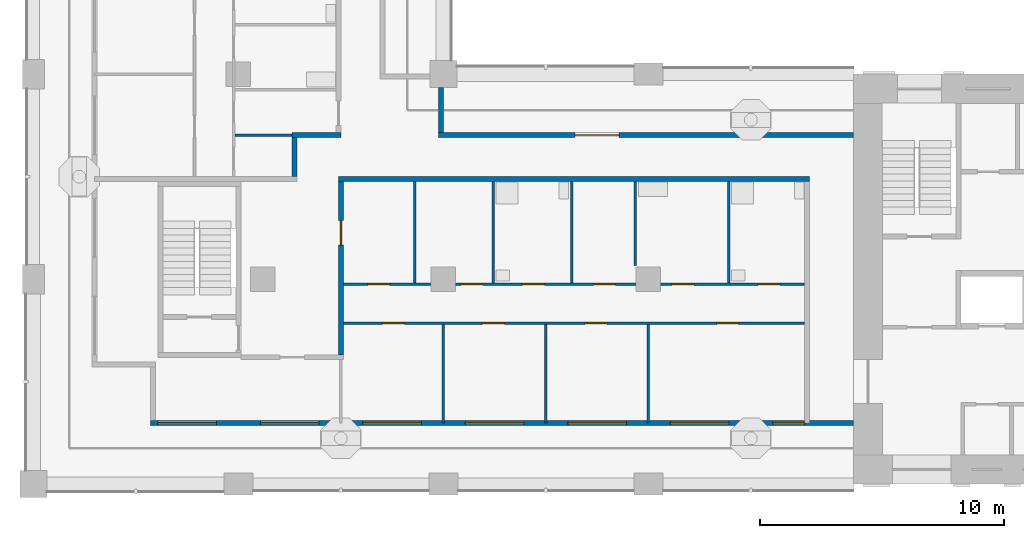
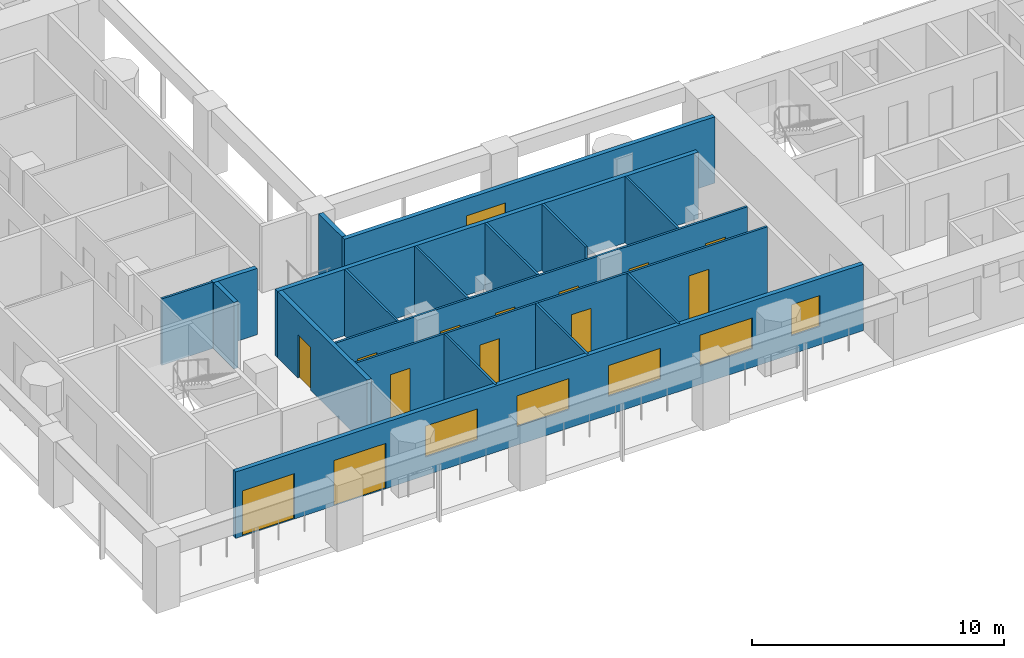
# One storey, part 2 of 13: 18 walls, 14 doors, 5 windows, 19 openings.
"""IFC4 building model written with IfcOpenShell, lengths in metres."""

from ifc_helpers import new_model, si_unit, direction, frame, frame_2d, origin, place, context, subcontext, project, spatial, rectangle, extrude, material, layer, layer_set, type_object, element, fill, save


model = new_model("IFC4")

# Units and contexts
model_context = context("Model", 3, precision=1e-05, world=origin(), true_north=direction((0.0, 1.0)))
body_context = subcontext(model_context, "Body", "Model", "MODEL_VIEW")
ifc_project = project(units=[si_unit("LENGTHUNIT", "METRE"), si_unit("AREAUNIT", "SQUARE_METRE"), si_unit("VOLUMEUNIT", "CUBIC_METRE"), si_unit("PLANEANGLEUNIT", "RADIAN"), si_unit("MASSUNIT", "GRAM", prefix="KILO")], contexts=[model_context])

# Site, building, storey
site_placement = place(None, origin())
site = spatial("IfcSite", under=ifc_project, at=site_placement, CompositionType="ELEMENT")
building_placement = place(site_placement, origin())
building = spatial("IfcBuilding", under=site, at=building_placement, Name="Vermilion Gate Residences", CompositionType="ELEMENT")
storey_placement = place(building_placement, frame((0.0, 0.0, 151.199951171875)))
storey = spatial("IfcBuildingStorey", under=building, at=storey_placement, Name="L38", CompositionType="ELEMENT", Elevation=151.199951171875)

# Wall, openings, doors, windows
ifc_material_1 = material(Name="Insulated steel stud wall with terracotta rainscreen", Category="masonry")
ifc_layer_1 = layer(ifc_material_1, 0.199951171875)
ifc_layer_set_1 = layer_set([ifc_layer_1], Name="EXTERNAL WALL 200 TERRACOTTA RAINSCREEN")
wall_type_1 = type_object("IfcWallType", Name="EXTERNAL WALL 200 TERRACOTTA RAINSCREEN", PredefinedType="SOLIDWALL", material=ifc_layer_set_1)
wall_1_placement = place(storey_placement, frame((13.199951171875, 10.89990234375, 0.0), z_axis=(0.0, 0.0, 1.0), x_axis=(1.0, 0.0, 0.0)))
wall_1 = element("IfcWall", 1, at=wall_1_placement, inside=storey, type_object=wall_type_1, Name="External wall", PredefinedType="SOLIDWALL", context=body_context, shape_type="SweptSolid", body=[
    extrude(rectangle(XDim=28.800048828125, YDim=0.199951171875, at=frame_2d((14.39990234375, 0.0))), origin(), (0.0, 0.0, 1.0), 3.219970703125),
])
opening_1_placement = place(wall_1_placement, frame((0.300048828125, 0.0, 0.0)))
opening_1 = element("IfcOpeningElement", 2, at=opening_1_placement, cuts=wall_1, Name="Opening DE38008", PredefinedType="OPENING", context=body_context, shape_type="SweptSolid", body=[
    extrude(rectangle(XDim=2.39990234375, YDim=2.199951171875, at=frame_2d((1.199951171875, 1.10009765625))), frame((0.0, 0.10986328125, 0.0), z_axis=(0.0, -1.0, 0.0), x_axis=(1.0, 0.0, 0.0)), (0.0, 0.0, 1.0), 0.219970703125),
])
opening_2_placement = place(wall_1_placement, frame((4.5, 0.0, 0.0)))
opening_2 = element("IfcOpeningElement", 3, at=opening_2_placement, cuts=wall_1, Name="Opening DE38009", PredefinedType="OPENING", context=body_context, shape_type="SweptSolid", body=[
    extrude(rectangle(XDim=2.39990234375, YDim=2.199951171875, at=frame_2d((1.199951171875, 1.10009765625))), frame((0.0, 0.10986328125, 0.0), z_axis=(0.0, -1.0, 0.0), x_axis=(1.0, 0.0, 0.0)), (0.0, 0.0, 1.0), 0.219970703125),
])
opening_3_placement = place(wall_1_placement, frame((8.699951171875, 0.0, 0.89990234375)))
opening_3 = element("IfcOpeningElement", 4, at=opening_3_placement, cuts=wall_1, Name="Opening WE38010", PredefinedType="OPENING", context=body_context, shape_type="SweptSolid", body=[
    extrude(rectangle(XDim=2.39990234375, YDim=1.5, at=frame_2d((1.199951171875, 0.75))), frame((0.0, 0.10986328125, 0.0), z_axis=(0.0, -1.0, 0.0), x_axis=(1.0, 0.0, 0.0)), (0.0, 0.0, 1.0), 0.219970703125),
])
opening_4_placement = place(wall_1_placement, frame((12.89990234375, 0.0, 0.89990234375)))
opening_4 = element("IfcOpeningElement", 5, at=opening_4_placement, cuts=wall_1, Name="Opening WE38011", PredefinedType="OPENING", context=body_context, shape_type="SweptSolid", body=[
    extrude(rectangle(XDim=2.39990234375, YDim=1.5, at=frame_2d((1.199951171875, 0.75))), frame((0.0, 0.10986328125, 0.0), z_axis=(0.0, -1.0, 0.0), x_axis=(1.0, 0.0, 0.0)), (0.0, 0.0, 1.0), 0.219970703125),
])
opening_5_placement = place(wall_1_placement, frame((17.10009765625, 0.0, 0.89990234375)))
opening_5 = element("IfcOpeningElement", 6, at=opening_5_placement, cuts=wall_1, Name="Opening WE38012", PredefinedType="OPENING", context=body_context, shape_type="SweptSolid", body=[
    extrude(rectangle(XDim=2.39990234375, YDim=1.5, at=frame_2d((1.199951171875, 0.75))), frame((0.0, 0.10986328125, 0.0), z_axis=(0.0, -1.0, 0.0), x_axis=(1.0, 0.0, 0.0)), (0.0, 0.0, 1.0), 0.219970703125),
])
opening_6_placement = place(wall_1_placement, frame((21.300048828125, 0.0, 0.89990234375)))
opening_6 = element("IfcOpeningElement", 7, at=opening_6_placement, cuts=wall_1, Name="Opening WE38013", PredefinedType="OPENING", context=body_context, shape_type="SweptSolid", body=[
    extrude(rectangle(XDim=2.39990234375, YDim=1.5, at=frame_2d((1.199951171875, 0.75))), frame((0.0, 0.10986328125, 0.0), z_axis=(0.0, -1.0, 0.0), x_axis=(1.0, 0.0, 0.0)), (0.0, 0.0, 1.0), 0.219970703125),
])
opening_7_placement = place(wall_1_placement, frame((25.5, 0.0, 0.89990234375)))
opening_7 = element("IfcOpeningElement", 8, at=opening_7_placement, cuts=wall_1, Name="Opening WE38014", PredefinedType="OPENING", context=body_context, shape_type="SweptSolid", body=[
    extrude(rectangle(XDim=1.300048828125, YDim=1.5, at=frame_2d((0.64990234375, 0.75))), frame((0.0, 0.10986328125, 0.0), z_axis=(0.0, -1.0, 0.0), x_axis=(1.0, 0.0, 0.0)), (0.0, 0.0, 1.0), 0.219970703125),
])
ifc_material_2 = material(Name="Aluminium and clear glass", Category="aluminium")
door_type_1 = type_object("IfcDoorType", Name="SLIDING GLAZED DOOR 2400 X 2200", OperationType="DOUBLE_DOOR_SLIDING", PredefinedType="DOOR", material=ifc_material_2)
door_1_placement = place(opening_1_placement, origin())
door_1 = element("IfcDoor", 9, at=door_1_placement, inside=storey, type_object=door_type_1, Name="Loggia sliding door", OperationType="DOUBLE_DOOR_SLIDING", OverallHeight=2.199951171875, OverallWidth=2.39990234375, PredefinedType="DOOR", context=body_context, shape_type="SweptSolid", body=[
    extrude(rectangle(XDim=2.39990234375, YDim=2.199951171875, at=frame_2d((1.199951171875, 1.10009765625))), frame((0.0, 0.02490234375, 0.0), z_axis=(0.0, -1.0, 0.0), x_axis=(1.0, 0.0, 0.0)), (0.0, 0.0, 1.0), 0.050048828125),
])
fill(opening_1, door_1)
door_2_placement = place(opening_2_placement, origin())
door_2 = element("IfcDoor", 10, at=door_2_placement, inside=storey, type_object=door_type_1, Name="Loggia sliding door", OperationType="DOUBLE_DOOR_SLIDING", OverallHeight=2.199951171875, OverallWidth=2.39990234375, PredefinedType="DOOR", context=body_context, shape_type="SweptSolid", body=[
    extrude(rectangle(XDim=2.39990234375, YDim=2.199951171875, at=frame_2d((1.199951171875, 1.10009765625))), frame((0.0, 0.02490234375, 0.0), z_axis=(0.0, -1.0, 0.0), x_axis=(1.0, 0.0, 0.0)), (0.0, 0.0, 1.0), 0.050048828125),
])
fill(opening_2, door_2)
ifc_material_3 = material(Name="Aluminium and clear glass", Category="aluminium")
window_type_1 = type_object("IfcWindowType", Name="WINDOW 1300 X 1500", PartitioningType="SINGLE_PANEL", PredefinedType="WINDOW", material=ifc_material_3)
window_1_placement = place(opening_7_placement, origin())
window_1 = element("IfcWindow", 11, at=window_1_placement, inside=storey, type_object=window_type_1, Name="Window", OverallHeight=1.5, OverallWidth=1.300048828125, PartitioningType="SINGLE_PANEL", PredefinedType="WINDOW", context=body_context, shape_type="SweptSolid", body=[
    extrude(rectangle(XDim=1.300048828125, YDim=1.5, at=frame_2d((0.64990234375, 0.75))), frame((0.0, 0.030029296875, 0.0), z_axis=(0.0, -1.0, 0.0), x_axis=(1.0, 0.0, 0.0)), (0.0, 0.0, 1.0), 0.06005859375),
])
fill(opening_7, window_1)
ifc_material_4 = material(Name="Aluminium and clear glass", Category="aluminium")
window_type_2 = type_object("IfcWindowType", Name="WINDOW 2400 X 1500", PartitioningType="SINGLE_PANEL", PredefinedType="WINDOW", material=ifc_material_4)
window_2_placement = place(opening_3_placement, origin())
window_2 = element("IfcWindow", 12, at=window_2_placement, inside=storey, type_object=window_type_2, Name="Window", OverallHeight=1.5, OverallWidth=2.39990234375, PartitioningType="SINGLE_PANEL", PredefinedType="WINDOW", context=body_context, shape_type="SweptSolid", body=[
    extrude(rectangle(XDim=2.39990234375, YDim=1.5, at=frame_2d((1.199951171875, 0.75))), frame((0.0, 0.030029296875, 0.0), z_axis=(0.0, -1.0, 0.0), x_axis=(1.0, 0.0, 0.0)), (0.0, 0.0, 1.0), 0.06005859375),
])
fill(opening_3, window_2)
window_3_placement = place(opening_4_placement, origin())
window_3 = element("IfcWindow", 13, at=window_3_placement, inside=storey, type_object=window_type_2, Name="Window", OverallHeight=1.5, OverallWidth=2.39990234375, PartitioningType="SINGLE_PANEL", PredefinedType="WINDOW", context=body_context, shape_type="SweptSolid", body=[
    extrude(rectangle(XDim=2.39990234375, YDim=1.5, at=frame_2d((1.199951171875, 0.75))), frame((0.0, 0.030029296875, 0.0), z_axis=(0.0, -1.0, 0.0), x_axis=(1.0, 0.0, 0.0)), (0.0, 0.0, 1.0), 0.06005859375),
])
fill(opening_4, window_3)
window_4_placement = place(opening_5_placement, origin())
window_4 = element("IfcWindow", 14, at=window_4_placement, inside=storey, type_object=window_type_2, Name="Window", OverallHeight=1.5, OverallWidth=2.39990234375, PartitioningType="SINGLE_PANEL", PredefinedType="WINDOW", context=body_context, shape_type="SweptSolid", body=[
    extrude(rectangle(XDim=2.39990234375, YDim=1.5, at=frame_2d((1.199951171875, 0.75))), frame((0.0, 0.030029296875, 0.0), z_axis=(0.0, -1.0, 0.0), x_axis=(1.0, 0.0, 0.0)), (0.0, 0.0, 1.0), 0.06005859375),
])
fill(opening_5, window_4)
window_5_placement = place(opening_6_placement, origin())
window_5 = element("IfcWindow", 15, at=window_5_placement, inside=storey, type_object=window_type_2, Name="Window", OverallHeight=1.5, OverallWidth=2.39990234375, PartitioningType="SINGLE_PANEL", PredefinedType="WINDOW", context=body_context, shape_type="SweptSolid", body=[
    extrude(rectangle(XDim=2.39990234375, YDim=1.5, at=frame_2d((1.199951171875, 0.75))), frame((0.0, 0.030029296875, 0.0), z_axis=(0.0, -1.0, 0.0), x_axis=(1.0, 0.0, 0.0)), (0.0, 0.0, 1.0), 0.06005859375),
])
fill(opening_6, window_5)

# Wall, opening, door
wall_2_placement = place(storey_placement, frame((42.0, 22.699951171875, 0.0), z_axis=(0.0, 0.0, 1.0), x_axis=(-1.0, 0.0, 0.0)))
wall_2 = element("IfcWall", 16, at=wall_2_placement, inside=storey, type_object=wall_type_1, Name="External wall", PredefinedType="SOLIDWALL", context=body_context, shape_type="SweptSolid", body=[
    extrude(rectangle(XDim=17.0, YDim=0.199951171875, at=frame_2d((8.5, 0.0))), origin(), (0.0, 0.0, 1.0), 3.219970703125),
])
opening_8_placement = place(wall_2_placement, frame((9.60009765625, 0.0, 0.0)))
opening_8 = element("IfcOpeningElement", 17, at=opening_8_placement, cuts=wall_2, Name="Opening DE38020", PredefinedType="OPENING", context=body_context, shape_type="SweptSolid", body=[
    extrude(rectangle(XDim=1.800048828125, YDim=2.39990234375, at=frame_2d((0.89990234375, 1.199951171875))), frame((0.0, 0.10986328125, 0.0), z_axis=(0.0, -1.0, 0.0), x_axis=(1.0, 0.0, 0.0)), (0.0, 0.0, 1.0), 0.219970703125),
])
ifc_material_5 = material(Name="Aluminium and clear glass", Category="aluminium")
door_type_2 = type_object("IfcDoorType", Name="GLAZED EXTERNAL DOOR 1800 X 2400", OperationType="DOUBLE_DOOR_SINGLE_SWING", PredefinedType="DOOR", material=ifc_material_5)
door_3_placement = place(opening_8_placement, frame((1.800048828125, 0.0, 0.0), z_axis=(0.0, 0.0, 1.0), x_axis=(-1.0, 0.0, 0.0)))
door_3 = element("IfcDoor", 18, at=door_3_placement, inside=storey, type_object=door_type_2, Name="Gallery door", OperationType="DOUBLE_DOOR_SINGLE_SWING", OverallHeight=2.39990234375, OverallWidth=1.800048828125, PredefinedType="DOOR", context=body_context, shape_type="SweptSolid", body=[
    extrude(rectangle(XDim=1.800048828125, YDim=2.39990234375, at=frame_2d((0.89990234375, 1.199951171875))), frame((0.0, 0.02490234375, 0.0), z_axis=(0.0, -1.0, 0.0), x_axis=(1.0, 0.0, 0.0)), (0.0, 0.0, 1.0), 0.050048828125),
])
fill(opening_8, door_3)

# Wall
wall_3_placement = place(storey_placement, frame((25.10009765625, 22.800048828125, 0.0), z_axis=(0.0, 0.0, 1.0), x_axis=(0.0, 1.0, 0.0)))
element("IfcWall", 19, at=wall_3_placement, inside=storey, type_object=wall_type_1, Name="External wall", PredefinedType="SOLIDWALL", context=body_context, shape_type="SweptSolid", body=[
    extrude(rectangle(XDim=1.849853515625, YDim=0.199951171875, at=frame_2d((0.9248046875, 0.0))), origin(), (0.0, 0.0, 1.0), 3.219970703125),
])

# Wall, openings, doors
ifc_material_6 = material(Name="Plasterboard on steel studs", Category="steel")
ifc_layer_2 = layer(ifc_material_6, 0.10009765625)
ifc_layer_set_2 = layer_set([ifc_layer_2], Name="PARTITION 100")
wall_type_2 = type_object("IfcWallType", Name="PARTITION 100", PredefinedType="PARTITIONING", material=ifc_layer_set_2)
wall_4_placement = place(storey_placement, frame((21.10009765625, 15.0, 0.0), z_axis=(0.0, 0.0, 1.0), x_axis=(1.0, 0.0, 0.0)))
wall_4 = element("IfcWall", 20, at=wall_4_placement, inside=storey, type_object=wall_type_2, Name="Partition", PredefinedType="PARTITIONING", context=body_context, shape_type="SweptSolid", body=[
    extrude(rectangle(XDim=18.89990234375, YDim=0.10009765625, at=frame_2d((9.449951171875, 0.0))), origin(), (0.0, 0.0, 1.0), 3.219970703125),
])
opening_9_placement = place(wall_4_placement, frame((1.60009765625, 0.0, 0.0)))
opening_9 = element("IfcOpeningElement", 21, at=opening_9_placement, cuts=wall_4, Name="Opening DA37002", PredefinedType="OPENING", context=body_context, shape_type="SweptSolid", body=[
    extrude(rectangle(XDim=0.89990234375, YDim=2.10009765625, at=frame_2d((0.449951171875, 1.050048828125))), frame((0.0, 0.06005859375, 0.0), z_axis=(0.0, -1.0, 0.0), x_axis=(1.0, 0.0, 0.0)), (0.0, 0.0, 1.0), 0.1201171875),
])
opening_10_placement = place(wall_4_placement, frame((5.699951171875, 0.0, 0.0)))
opening_10 = element("IfcOpeningElement", 22, at=opening_10_placement, cuts=wall_4, Name="Opening DA37003", PredefinedType="OPENING", context=body_context, shape_type="SweptSolid", body=[
    extrude(rectangle(XDim=0.89990234375, YDim=2.10009765625, at=frame_2d((0.449951171875, 1.050048828125))), frame((0.0, 0.06005859375, 0.0), z_axis=(0.0, -1.0, 0.0), x_axis=(1.0, 0.0, 0.0)), (0.0, 0.0, 1.0), 0.1201171875),
])
opening_11_placement = place(wall_4_placement, frame((9.89990234375, 0.0, 0.0)))
opening_11 = element("IfcOpeningElement", 23, at=opening_11_placement, cuts=wall_4, Name="Opening DA37004", PredefinedType="OPENING", context=body_context, shape_type="SweptSolid", body=[
    extrude(rectangle(XDim=0.89990234375, YDim=2.10009765625, at=frame_2d((0.449951171875, 1.050048828125))), frame((0.0, 0.06005859375, 0.0), z_axis=(0.0, -1.0, 0.0), x_axis=(1.0, 0.0, 0.0)), (0.0, 0.0, 1.0), 0.1201171875),
])
opening_12_placement = place(wall_4_placement, frame((15.300048828125, 0.0, 0.0)))
opening_12 = element("IfcOpeningElement", 24, at=opening_12_placement, cuts=wall_4, Name="Opening DA37005", PredefinedType="OPENING", context=body_context, shape_type="SweptSolid", body=[
    extrude(rectangle(XDim=0.89990234375, YDim=2.10009765625, at=frame_2d((0.449951171875, 1.050048828125))), frame((0.0, 0.06005859375, 0.0), z_axis=(0.0, -1.0, 0.0), x_axis=(1.0, 0.0, 0.0)), (0.0, 0.0, 1.0), 0.1201171875),
])
ifc_material_7 = material(Name="Timber", Category="wood")
door_type_3 = type_object("IfcDoorType", Name="INTERIOR DOOR 900 X 2100", OperationType="SINGLE_SWING_LEFT", PredefinedType="DOOR", material=ifc_material_7)
door_4_placement = place(opening_9_placement, frame((0.89990234375, 0.0, 0.0), z_axis=(0.0, 0.0, 1.0), x_axis=(-1.0, 0.0, 0.0)))
door_4 = element("IfcDoor", 25, at=door_4_placement, inside=storey, type_object=door_type_3, Name="Interior door", OperationType="SINGLE_SWING_LEFT", OverallHeight=2.10009765625, OverallWidth=0.89990234375, PredefinedType="DOOR", context=body_context, shape_type="SweptSolid", body=[
    extrude(rectangle(XDim=0.89990234375, YDim=2.10009765625, at=frame_2d((0.449951171875, 1.050048828125))), frame((0.0, 0.02490234375, 0.0), z_axis=(0.0, -1.0, 0.0), x_axis=(1.0, 0.0, 0.0)), (0.0, 0.0, 1.0), 0.050048828125),
])
fill(opening_9, door_4)
door_5_placement = place(opening_10_placement, frame((0.89990234375, 0.0, 0.0), z_axis=(0.0, 0.0, 1.0), x_axis=(-1.0, 0.0, 0.0)))
door_5 = element("IfcDoor", 26, at=door_5_placement, inside=storey, type_object=door_type_3, Name="Interior door", OperationType="SINGLE_SWING_RIGHT", OverallHeight=2.10009765625, OverallWidth=0.89990234375, PredefinedType="DOOR", context=body_context, shape_type="SweptSolid", body=[
    extrude(rectangle(XDim=0.89990234375, YDim=2.10009765625, at=frame_2d((0.449951171875, 1.050048828125))), frame((0.0, 0.02490234375, 0.0), z_axis=(0.0, -1.0, 0.0), x_axis=(1.0, 0.0, 0.0)), (0.0, 0.0, 1.0), 0.050048828125),
])
fill(opening_10, door_5)
door_6_placement = place(opening_11_placement, frame((0.89990234375, 0.0, 0.0), z_axis=(0.0, 0.0, 1.0), x_axis=(-1.0, 0.0, 0.0)))
door_6 = element("IfcDoor", 27, at=door_6_placement, inside=storey, type_object=door_type_3, Name="Interior door", OperationType="SINGLE_SWING_RIGHT", OverallHeight=2.10009765625, OverallWidth=0.89990234375, PredefinedType="DOOR", context=body_context, shape_type="SweptSolid", body=[
    extrude(rectangle(XDim=0.89990234375, YDim=2.10009765625, at=frame_2d((0.449951171875, 1.050048828125))), frame((0.0, 0.02490234375, 0.0), z_axis=(0.0, -1.0, 0.0), x_axis=(1.0, 0.0, 0.0)), (0.0, 0.0, 1.0), 0.050048828125),
])
fill(opening_11, door_6)
door_7_placement = place(opening_12_placement, frame((0.89990234375, 0.0, 0.0), z_axis=(0.0, 0.0, 1.0), x_axis=(-1.0, 0.0, 0.0)))
door_7 = element("IfcDoor", 28, at=door_7_placement, inside=storey, type_object=door_type_3, Name="Interior door", OperationType="SINGLE_SWING_LEFT", OverallHeight=2.10009765625, OverallWidth=0.89990234375, PredefinedType="DOOR", context=body_context, shape_type="SweptSolid", body=[
    extrude(rectangle(XDim=0.89990234375, YDim=2.10009765625, at=frame_2d((0.449951171875, 1.050048828125))), frame((0.0, 0.02490234375, 0.0), z_axis=(0.0, -1.0, 0.0), x_axis=(1.0, 0.0, 0.0)), (0.0, 0.0, 1.0), 0.050048828125),
])
fill(opening_12, door_7)

wall_5_placement = place(storey_placement, frame((21.10009765625, 16.60009765625, 0.0), z_axis=(0.0, 0.0, 1.0), x_axis=(1.0, 0.0, 0.0)))
wall_5 = element("IfcWall", 29, at=wall_5_placement, inside=storey, type_object=wall_type_2, Name="Partition", PredefinedType="PARTITIONING", context=body_context, shape_type="SweptSolid", body=[
    extrude(rectangle(XDim=18.89990234375, YDim=0.10009765625, at=frame_2d((9.449951171875, 0.0))), origin(), (0.0, 0.0, 1.0), 3.219970703125),
])
opening_13_placement = place(wall_5_placement, frame((1.0, 0.0, 0.0)))
opening_13 = element("IfcOpeningElement", 30, at=opening_13_placement, cuts=wall_5, Name="Opening DA37006", PredefinedType="OPENING", context=body_context, shape_type="SweptSolid", body=[
    extrude(rectangle(XDim=0.89990234375, YDim=2.10009765625, at=frame_2d((0.449951171875, 1.050048828125))), frame((0.0, 0.06005859375, 0.0), z_axis=(0.0, -1.0, 0.0), x_axis=(1.0, 0.0, 0.0)), (0.0, 0.0, 1.0), 0.1201171875),
])
opening_14_placement = place(wall_5_placement, frame((4.81689453125, 0.0, 0.0)))
opening_14 = element("IfcOpeningElement", 31, at=opening_14_placement, cuts=wall_5, Name="Opening DA37007", PredefinedType="OPENING", context=body_context, shape_type="SweptSolid", body=[
    extrude(rectangle(XDim=0.89990234375, YDim=2.10009765625, at=frame_2d((0.449951171875, 1.050048828125))), frame((0.0, 0.06005859375, 0.0), z_axis=(0.0, -1.0, 0.0), x_axis=(1.0, 0.0, 0.0)), (0.0, 0.0, 1.0), 0.1201171875),
])
opening_15_placement = place(wall_5_placement, frame((7.3330078125, 0.0, 0.0)))
opening_15 = element("IfcOpeningElement", 32, at=opening_15_placement, cuts=wall_5, Name="Opening DA37008", PredefinedType="OPENING", context=body_context, shape_type="SweptSolid", body=[
    extrude(rectangle(XDim=0.89990234375, YDim=2.10009765625, at=frame_2d((0.449951171875, 1.050048828125))), frame((0.0, 0.06005859375, 0.0), z_axis=(0.0, -1.0, 0.0), x_axis=(1.0, 0.0, 0.0)), (0.0, 0.0, 1.0), 0.1201171875),
])
opening_16_placement = place(wall_5_placement, frame((10.25, 0.0, 0.0)))
opening_16 = element("IfcOpeningElement", 33, at=opening_16_placement, cuts=wall_5, Name="Opening DA37009", PredefinedType="OPENING", context=body_context, shape_type="SweptSolid", body=[
    extrude(rectangle(XDim=0.89990234375, YDim=2.10009765625, at=frame_2d((0.449951171875, 1.050048828125))), frame((0.0, 0.06005859375, 0.0), z_axis=(0.0, -1.0, 0.0), x_axis=(1.0, 0.0, 0.0)), (0.0, 0.0, 1.0), 0.1201171875),
])
opening_17_placement = place(wall_5_placement, frame((13.467041015625, 0.0, 0.0)))
opening_17 = element("IfcOpeningElement", 34, at=opening_17_placement, cuts=wall_5, Name="Opening DA37010", PredefinedType="OPENING", context=body_context, shape_type="SweptSolid", body=[
    extrude(rectangle(XDim=0.89990234375, YDim=2.10009765625, at=frame_2d((0.449951171875, 1.050048828125))), frame((0.0, 0.06005859375, 0.0), z_axis=(0.0, -1.0, 0.0), x_axis=(1.0, 0.0, 0.0)), (0.0, 0.0, 1.0), 0.1201171875),
])
opening_18_placement = place(wall_5_placement, frame((16.98388671875, 0.0, 0.0)))
opening_18 = element("IfcOpeningElement", 35, at=opening_18_placement, cuts=wall_5, Name="Opening DA37011", PredefinedType="OPENING", context=body_context, shape_type="SweptSolid", body=[
    extrude(rectangle(XDim=0.89990234375, YDim=2.10009765625, at=frame_2d((0.449951171875, 1.050048828125))), frame((0.0, 0.06005859375, 0.0), z_axis=(0.0, -1.0, 0.0), x_axis=(1.0, 0.0, 0.0)), (0.0, 0.0, 1.0), 0.1201171875),
])
door_8_placement = place(opening_13_placement, origin())
door_8 = element("IfcDoor", 36, at=door_8_placement, inside=storey, type_object=door_type_3, Name="Interior door", OperationType="SINGLE_SWING_RIGHT", OverallHeight=2.10009765625, OverallWidth=0.89990234375, PredefinedType="DOOR", context=body_context, shape_type="SweptSolid", body=[
    extrude(rectangle(XDim=0.89990234375, YDim=2.10009765625, at=frame_2d((0.449951171875, 1.050048828125))), frame((0.0, 0.02490234375, 0.0), z_axis=(0.0, -1.0, 0.0), x_axis=(1.0, 0.0, 0.0)), (0.0, 0.0, 1.0), 0.050048828125),
])
fill(opening_13, door_8)
door_9_placement = place(opening_14_placement, origin())
door_9 = element("IfcDoor", 37, at=door_9_placement, inside=storey, type_object=door_type_3, Name="Interior door", OperationType="SINGLE_SWING_LEFT", OverallHeight=2.10009765625, OverallWidth=0.89990234375, PredefinedType="DOOR", context=body_context, shape_type="SweptSolid", body=[
    extrude(rectangle(XDim=0.89990234375, YDim=2.10009765625, at=frame_2d((0.449951171875, 1.050048828125))), frame((0.0, 0.02490234375, 0.0), z_axis=(0.0, -1.0, 0.0), x_axis=(1.0, 0.0, 0.0)), (0.0, 0.0, 1.0), 0.050048828125),
])
fill(opening_14, door_9)
door_10_placement = place(opening_15_placement, origin())
door_10 = element("IfcDoor", 38, at=door_10_placement, inside=storey, type_object=door_type_3, Name="Interior door", OperationType="SINGLE_SWING_LEFT", OverallHeight=2.10009765625, OverallWidth=0.89990234375, PredefinedType="DOOR", context=body_context, shape_type="SweptSolid", body=[
    extrude(rectangle(XDim=0.89990234375, YDim=2.10009765625, at=frame_2d((0.449951171875, 1.050048828125))), frame((0.0, 0.02490234375, 0.0), z_axis=(0.0, -1.0, 0.0), x_axis=(1.0, 0.0, 0.0)), (0.0, 0.0, 1.0), 0.050048828125),
])
fill(opening_15, door_10)
door_11_placement = place(opening_16_placement, origin())
door_11 = element("IfcDoor", 39, at=door_11_placement, inside=storey, type_object=door_type_3, Name="Interior door", OperationType="SINGLE_SWING_LEFT", OverallHeight=2.10009765625, OverallWidth=0.89990234375, PredefinedType="DOOR", context=body_context, shape_type="SweptSolid", body=[
    extrude(rectangle(XDim=0.89990234375, YDim=2.10009765625, at=frame_2d((0.449951171875, 1.050048828125))), frame((0.0, 0.02490234375, 0.0), z_axis=(0.0, -1.0, 0.0), x_axis=(1.0, 0.0, 0.0)), (0.0, 0.0, 1.0), 0.050048828125),
])
fill(opening_16, door_11)
door_12_placement = place(opening_17_placement, origin())
door_12 = element("IfcDoor", 40, at=door_12_placement, inside=storey, type_object=door_type_3, Name="Interior door", OperationType="SINGLE_SWING_LEFT", OverallHeight=2.10009765625, OverallWidth=0.89990234375, PredefinedType="DOOR", context=body_context, shape_type="SweptSolid", body=[
    extrude(rectangle(XDim=0.89990234375, YDim=2.10009765625, at=frame_2d((0.449951171875, 1.050048828125))), frame((0.0, 0.02490234375, 0.0), z_axis=(0.0, -1.0, 0.0), x_axis=(1.0, 0.0, 0.0)), (0.0, 0.0, 1.0), 0.050048828125),
])
fill(opening_17, door_12)
door_13_placement = place(opening_18_placement, origin())
door_13 = element("IfcDoor", 41, at=door_13_placement, inside=storey, type_object=door_type_3, Name="Interior door", OperationType="SINGLE_SWING_LEFT", OverallHeight=2.10009765625, OverallWidth=0.89990234375, PredefinedType="DOOR", context=body_context, shape_type="SweptSolid", body=[
    extrude(rectangle(XDim=0.89990234375, YDim=2.10009765625, at=frame_2d((0.449951171875, 1.050048828125))), frame((0.0, 0.02490234375, 0.0), z_axis=(0.0, -1.0, 0.0), x_axis=(1.0, 0.0, 0.0)), (0.0, 0.0, 1.0), 0.050048828125),
])
fill(opening_18, door_13)

# Walls
wall_6_placement = place(storey_placement, frame((16.64990234375, 22.699951171875, 0.0), z_axis=(0.0, 0.0, 1.0), x_axis=(1.0, 0.0, 0.0)))
element("IfcWall", 42, at=wall_6_placement, inside=storey, type_object=wall_type_2, Name="Partition", PredefinedType="PARTITIONING", context=body_context, shape_type="SweptSolid", body=[
    extrude(rectangle(XDim=2.35009765625, YDim=0.10009765625, at=frame_2d((1.175048828125, 0.0))), origin(), (0.0, 0.0, 1.0), 3.219970703125),
])
wall_7_placement = place(storey_placement, frame((24.01708984375, 16.64990234375, 0.0), z_axis=(0.0, 0.0, 1.0), x_axis=(0.0, 1.0, 0.0)))
element("IfcWall", 43, at=wall_7_placement, inside=storey, type_object=wall_type_2, Name="Partition", PredefinedType="PARTITIONING", context=body_context, shape_type="SweptSolid", body=[
    extrude(rectangle(XDim=4.150146484375, YDim=0.10009765625, at=frame_2d((2.0751953125, 0.0))), origin(), (0.0, 0.0, 1.0), 3.219970703125),
])
wall_8_placement = place(storey_placement, frame((25.199951171875, 10.89990234375, 0.0), z_axis=(0.0, 0.0, 1.0), x_axis=(0.0, 1.0, 0.0)))
element("IfcWall", 44, at=wall_8_placement, inside=storey, type_object=wall_type_2, Name="Partition", PredefinedType="PARTITIONING", context=body_context, shape_type="SweptSolid", body=[
    extrude(rectangle(XDim=4.050048828125, YDim=0.10009765625, at=frame_2d((2.02490234375, 0.0))), origin(), (0.0, 0.0, 1.0), 3.219970703125),
])
wall_9_placement = place(storey_placement, frame((27.23291015625, 16.64990234375, 0.0), z_axis=(0.0, 0.0, 1.0), x_axis=(0.0, 1.0, 0.0)))
element("IfcWall", 45, at=wall_9_placement, inside=storey, type_object=wall_type_2, Name="Partition", PredefinedType="PARTITIONING", context=body_context, shape_type="SweptSolid", body=[
    extrude(rectangle(XDim=4.150146484375, YDim=0.10009765625, at=frame_2d((2.0751953125, 0.0))), origin(), (0.0, 0.0, 1.0), 3.219970703125),
])
wall_10_placement = place(storey_placement, frame((29.39990234375, 10.89990234375, 0.0), z_axis=(0.0, 0.0, 1.0), x_axis=(0.0, 1.0, 0.0)))
element("IfcWall", 46, at=wall_10_placement, inside=storey, type_object=wall_type_2, Name="Partition", PredefinedType="PARTITIONING", context=body_context, shape_type="SweptSolid", body=[
    extrude(rectangle(XDim=4.050048828125, YDim=0.10009765625, at=frame_2d((2.02490234375, 0.0))), origin(), (0.0, 0.0, 1.0), 3.219970703125),
])
wall_11_placement = place(storey_placement, frame((30.449951171875, 16.64990234375, 0.0), z_axis=(0.0, 0.0, 1.0), x_axis=(0.0, 1.0, 0.0)))
element("IfcWall", 47, at=wall_11_placement, inside=storey, type_object=wall_type_2, Name="Partition", PredefinedType="PARTITIONING", context=body_context, shape_type="SweptSolid", body=[
    extrude(rectangle(XDim=4.150146484375, YDim=0.10009765625, at=frame_2d((2.0751953125, 0.0))), origin(), (0.0, 0.0, 1.0), 3.219970703125),
])
wall_12_placement = place(storey_placement, frame((33.06689453125, 17.35009765625, 0.0), z_axis=(0.0, 0.0, 1.0), x_axis=(0.0, 1.0, 0.0)))
element("IfcWall", 48, at=wall_12_placement, inside=storey, type_object=wall_type_2, Name="Partition", PredefinedType="PARTITIONING", context=body_context, shape_type="SweptSolid", body=[
    extrude(rectangle(XDim=3.449951171875, YDim=0.10009765625, at=frame_2d((1.72509765625, 0.0))), origin(), (0.0, 0.0, 1.0), 3.219970703125),
])
wall_13_placement = place(storey_placement, frame((33.60009765625, 10.89990234375, 0.0), z_axis=(0.0, 0.0, 1.0), x_axis=(0.0, 1.0, 0.0)))
element("IfcWall", 49, at=wall_13_placement, inside=storey, type_object=wall_type_2, Name="Partition", PredefinedType="PARTITIONING", context=body_context, shape_type="SweptSolid", body=[
    extrude(rectangle(XDim=4.050048828125, YDim=0.10009765625, at=frame_2d((2.02490234375, 0.0))), origin(), (0.0, 0.0, 1.0), 3.219970703125),
])
wall_14_placement = place(storey_placement, frame((36.884033203125, 16.64990234375, 0.0), z_axis=(0.0, 0.0, 1.0), x_axis=(0.0, 1.0, 0.0)))
element("IfcWall", 50, at=wall_14_placement, inside=storey, type_object=wall_type_2, Name="Partition", PredefinedType="PARTITIONING", context=body_context, shape_type="SweptSolid", body=[
    extrude(rectangle(XDim=4.150146484375, YDim=0.10009765625, at=frame_2d((2.0751953125, 0.0))), origin(), (0.0, 0.0, 1.0), 3.219970703125),
])
ifc_material_8 = material(Name="Fire-rated plasterboard on steel studs", Category="steel")
ifc_layer_3 = layer(ifc_material_8, 0.199951171875)
ifc_layer_set_3 = layer_set([ifc_layer_3], Name="PARTY WALL 200 EI 120")
wall_type_3 = type_object("IfcWallType", Name="PARTY WALL 200 EI 120", PredefinedType="PARTITIONING", material=ifc_layer_set_3)
wall_15_placement = place(storey_placement, frame((20.89990234375, 20.89990234375, 0.0), z_axis=(0.0, 0.0, 1.0), x_axis=(1.0, 0.0, 0.0)))
element("IfcWall", 51, at=wall_15_placement, inside=storey, type_object=wall_type_3, Name="Party and corridor wall", PredefinedType="PARTITIONING", context=body_context, shape_type="SweptSolid", body=[
    extrude(rectangle(XDim=19.300048828125, YDim=0.199951171875, at=frame_2d((9.64990234375, 0.0))), origin(), (0.0, 0.0, 1.0), 3.219970703125),
])
wall_16_placement = place(storey_placement, frame((19.0, 22.699951171875, 0.0), z_axis=(0.0, 0.0, 1.0), x_axis=(1.0, 0.0, 0.0)))
element("IfcWall", 52, at=wall_16_placement, inside=storey, type_object=wall_type_3, Name="Party and corridor wall", PredefinedType="PARTITIONING", context=body_context, shape_type="SweptSolid", body=[
    extrude(rectangle(XDim=2.0, YDim=0.199951171875, at=frame_2d((1.0, 0.0))), origin(), (0.0, 0.0, 1.0), 3.219970703125),
])
wall_17_placement = place(storey_placement, frame((19.10009765625, 21.0, 0.0), z_axis=(0.0, 0.0, 1.0), x_axis=(0.0, 1.0, 0.0)))
element("IfcWall", 53, at=wall_17_placement, inside=storey, type_object=wall_type_3, Name="Party and corridor wall", PredefinedType="PARTITIONING", context=body_context, shape_type="SweptSolid", body=[
    extrude(rectangle(XDim=1.60009765625, YDim=0.199951171875, at=frame_2d((0.800048828125, 0.0))), origin(), (0.0, 0.0, 1.0), 3.219970703125),
])

# Wall, opening, door
wall_18_placement = place(storey_placement, frame((21.0, 13.699951171875, 0.0), z_axis=(0.0, 0.0, 1.0), x_axis=(0.0, 1.0, 0.0)))
wall_18 = element("IfcWall", 54, at=wall_18_placement, inside=storey, type_object=wall_type_3, Name="Party and corridor wall", PredefinedType="PARTITIONING", context=body_context, shape_type="SweptSolid", body=[
    extrude(rectangle(XDim=7.10009765625, YDim=0.199951171875, at=frame_2d((3.550048828125, 0.0))), origin(), (0.0, 0.0, 1.0), 3.219970703125),
])
opening_19_placement = place(wall_18_placement, frame((4.5, 0.0, 0.0)))
opening_19 = element("IfcOpeningElement", 55, at=opening_19_placement, cuts=wall_18, Name="Opening DA37025", PredefinedType="OPENING", context=body_context, shape_type="SweptSolid", body=[
    extrude(rectangle(XDim=1.0, YDim=2.10009765625, at=frame_2d((0.5, 1.050048828125))), frame((0.0, 0.10986328125, 0.0), z_axis=(0.0, -1.0, 0.0), x_axis=(1.0, 0.0, 0.0)), (0.0, 0.0, 1.0), 0.219970703125),
])
ifc_material_9 = material(Name="Steel", Category="steel")
door_type_4 = type_object("IfcDoorType", Name="ENTRANCE DOOR 1000 X 2100 FD30", OperationType="SINGLE_SWING_LEFT", PredefinedType="DOOR", material=ifc_material_9)
door_14_placement = place(opening_19_placement, frame((1.0, 0.0, 0.0), z_axis=(0.0, 0.0, 1.0), x_axis=(-1.0, 0.0, 0.0)))
door_14 = element("IfcDoor", 56, at=door_14_placement, inside=storey, type_object=door_type_4, Name="Entrance door", OperationType="SINGLE_SWING_RIGHT", OverallHeight=2.10009765625, OverallWidth=1.0, PredefinedType="DOOR", context=body_context, shape_type="SweptSolid", body=[
    extrude(rectangle(XDim=1.0, YDim=2.10009765625, at=frame_2d((0.5, 1.050048828125))), frame((0.0, 0.02490234375, 0.0), z_axis=(0.0, -1.0, 0.0), x_axis=(1.0, 0.0, 0.0)), (0.0, 0.0, 1.0), 0.050048828125),
])
fill(opening_19, door_14)

save(model, "model.ifc")
